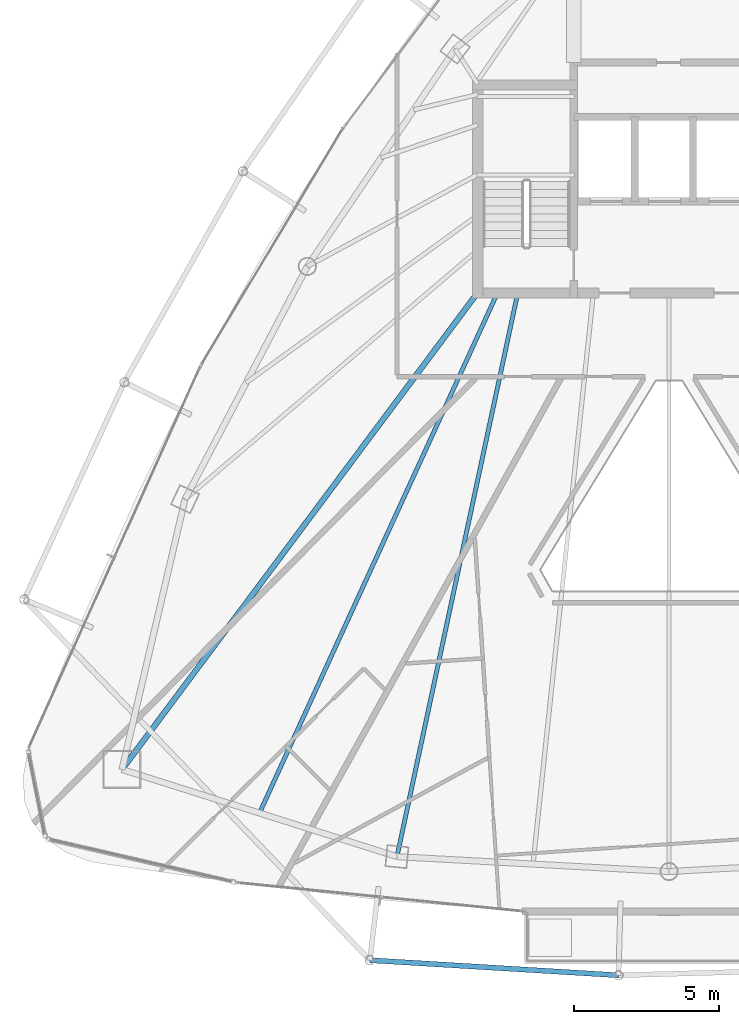
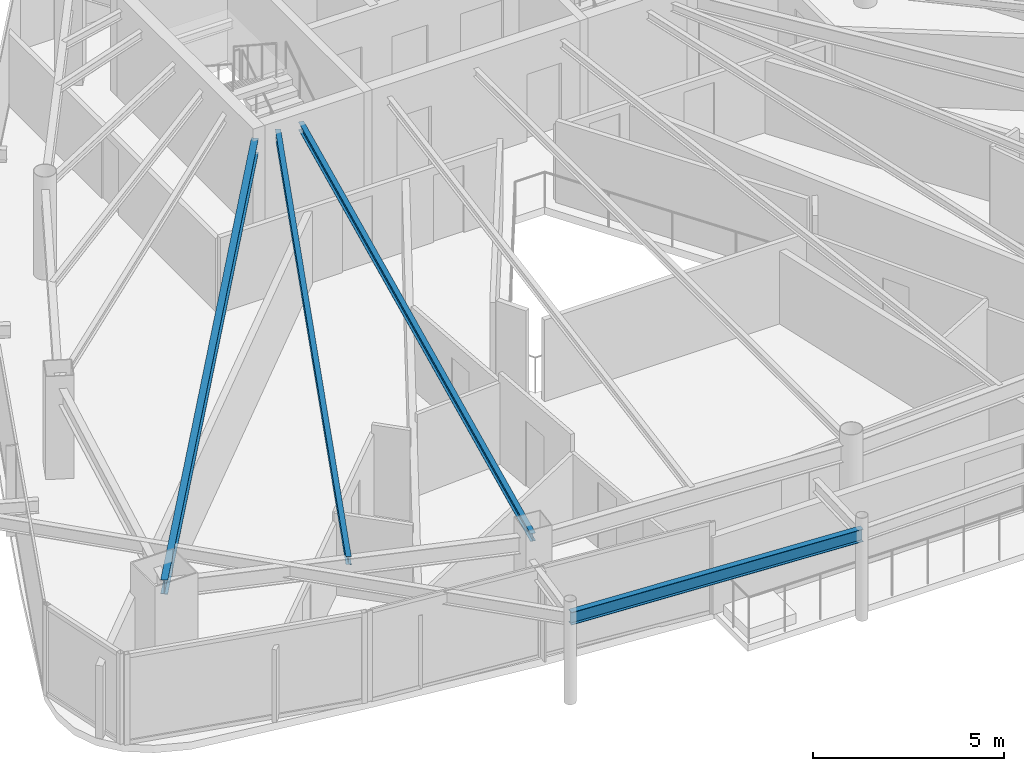
# One storey, part 6 of 29: 4 beams.
"""IFC4 building model written with IfcOpenShell, lengths in metres."""

from ifc_helpers import new_model, si_unit, direction, frame, origin, origin_2d, place, context, subcontext, project, spatial, i_section, extrude, material, material_profile, profile_set, type_object, element, save


model = new_model("IFC4")

# Units and contexts
model_context = context("Model", 3, precision=1e-05, world=origin(), true_north=direction((0.0, 1.0)))
body_context = subcontext(model_context, "Body", "Model", "MODEL_VIEW")
ifc_project = project(units=[si_unit("LENGTHUNIT", "METRE"), si_unit("AREAUNIT", "SQUARE_METRE"), si_unit("VOLUMEUNIT", "CUBIC_METRE"), si_unit("PLANEANGLEUNIT", "RADIAN"), si_unit("MASSUNIT", "GRAM", prefix="KILO")], contexts=[model_context])

# Site, building, storey
site_placement = place(None, origin())
site = spatial("IfcSite", under=ifc_project, at=site_placement, CompositionType="ELEMENT")
building_placement = place(site_placement, origin())
building = spatial("IfcBuilding", under=site, at=building_placement, Name="Orvanel Arch Residences", CompositionType="ELEMENT")
storey_placement = place(building_placement, frame((0.0, 0.0, 253.550048828125)))
storey = spatial("IfcBuildingStorey", under=building, at=storey_placement, Name="L72", CompositionType="ELEMENT", Elevation=253.550048828125)

# Beams
ifc_material = material(Name="Structural steel AS/NZS 3679.1 Grade 300 (300 MPa)", Category="steel")
ifc_material_profile_1 = material_profile(ifc_material, i_section(OverallWidth=0.19091796875, OverallDepth=0.4599609375, WebThickness=0.010009765625, FlangeThickness=0.01611328125, at=origin_2d()), Name="460UB82.1")
ifc_profile_set_1 = profile_set([ifc_material_profile_1], Name="Structural steel AS/NZS 3679.1 Grade 300 (300 MPa)")
beam_type_1 = type_object("IfcBeamType", Name="BG-460UB", PredefinedType="BEAM", material=ifc_profile_set_1)
beam_1_placement = place(storey_placement, frame((26.375, 26.675048828125, 2.669921875), z_axis=(-0.597893733742, -0.801575375839, 0.0), x_axis=(0.801575375839, -0.597893733742, 0.0)))
element("IfcBeam", 1, at=beam_1_placement, inside=storey, type_object=beam_type_1, Name="L72 South-West Radial Girder", PredefinedType="BEAM", context=body_context, shape_type="SweptSolid", body=[
    extrude(i_section(OverallWidth=0.19091796875, OverallDepth=0.4599609375, WebThickness=0.010009765625, FlangeThickness=0.01611328125, at=origin_2d()), origin(), (0.0, 0.0, 1.0), 20.36474609375),
])
ifc_material_profile_2 = material_profile(ifc_material, i_section(OverallWidth=0.14599609375, OverallDepth=0.251953125, WebThickness=0.006103515625, FlangeThickness=0.008544921875, at=origin_2d()), Name="250UB31.4")
ifc_profile_set_2 = profile_set([ifc_material_profile_2], Name="Structural steel AS/NZS 3679.1 Grade 300 (300 MPa)")
beam_type_2 = type_object("IfcBeamType", Name="BJ-250UB", PredefinedType="JOIST", material=ifc_profile_set_2)
beam_2_placement = place(storey_placement, frame((27.800048828125, 26.72509765625, 2.77392578125), z_axis=(-0.209547604985, -0.977798446125, 0.0), x_axis=(0.977798446125, -0.209547604985, 0.0)))
element("IfcBeam", 2, at=beam_2_placement, inside=storey, type_object=beam_type_2, Name="L72 SW Wing Floor Joist", PredefinedType="JOIST", context=body_context, shape_type="SweptSolid", body=[
    extrude(i_section(OverallWidth=0.14599609375, OverallDepth=0.251953125, WebThickness=0.006103515625, FlangeThickness=0.008544921875, at=origin_2d()), origin(), (0.0, 0.0, 1.0), 19.809814453125),
])
beam_3_placement = place(storey_placement, frame((27.10009765625, 26.72509765625, 2.77392578125), z_axis=(-0.416009574066, -0.909360233508, 0.0), x_axis=(0.909360233508, -0.416009574066, 0.0)))
element("IfcBeam", 3, at=beam_3_placement, inside=storey, type_object=beam_type_2, Name="L72 JADD1 Wing Floor Joist", PredefinedType="JOIST", context=body_context, shape_type="SweptSolid", body=[
    extrude(i_section(OverallWidth=0.14599609375, OverallDepth=0.251953125, WebThickness=0.006103515625, FlangeThickness=0.008544921875, at=origin_2d()), origin(), (0.0, 0.0, 1.0), 19.653564453125),
])
ifc_material_profile_3 = material_profile(ifc_material, i_section(OverallWidth=0.177978515625, OverallDepth=0.406005859375, WebThickness=0.0078125, FlangeThickness=0.0126953125, at=origin_2d()), Name="410UB59.7")
ifc_profile_set_3 = profile_set([ifc_material_profile_3], Name="Structural steel AS/NZS 3679.1 Grade 300 (300 MPa)")
beam_type_3 = type_object("IfcBeamType", Name="OB-410UB-EXT", PredefinedType="SPANDREL", material=ifc_profile_set_3)
beam_4_placement = place(storey_placement, frame((22.716064453125, 3.7958984375, 2.697021484375), z_axis=(0.998168861908, -0.060489033032, 0.0), x_axis=(0.060489033032, 0.998168861908, 0.0)))
element("IfcBeam", 4, at=beam_4_placement, inside=storey, type_object=beam_type_3, Name="L72 Outer Perimeter Floor Ring Beam 05", PredefinedType="SPANDREL", context=body_context, shape_type="SweptSolid", body=[
    extrude(i_section(OverallWidth=0.177978515625, OverallDepth=0.406005859375, WebThickness=0.0078125, FlangeThickness=0.0126953125, at=origin_2d()), origin(), (0.0, 0.0, 1.0), 8.560546875),
])

save(model, "model.ifc")
